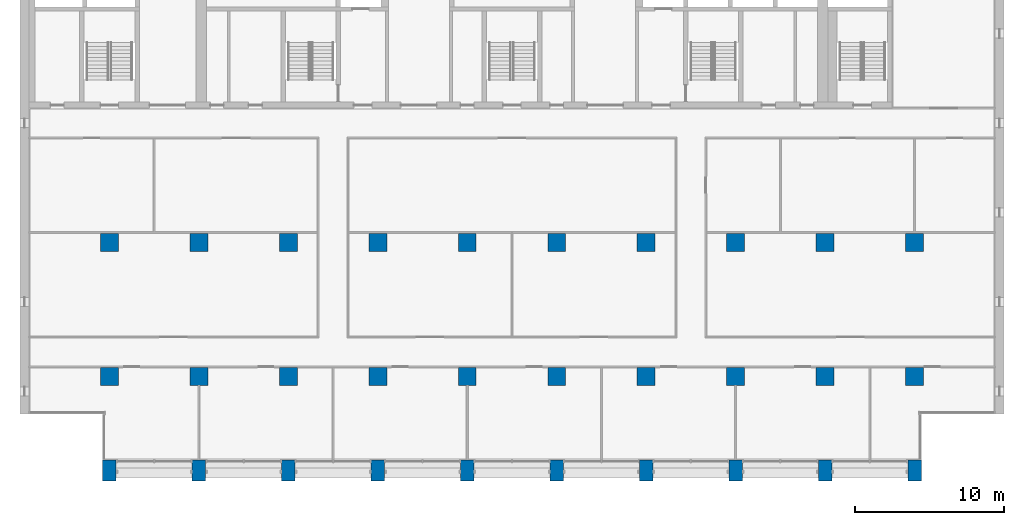
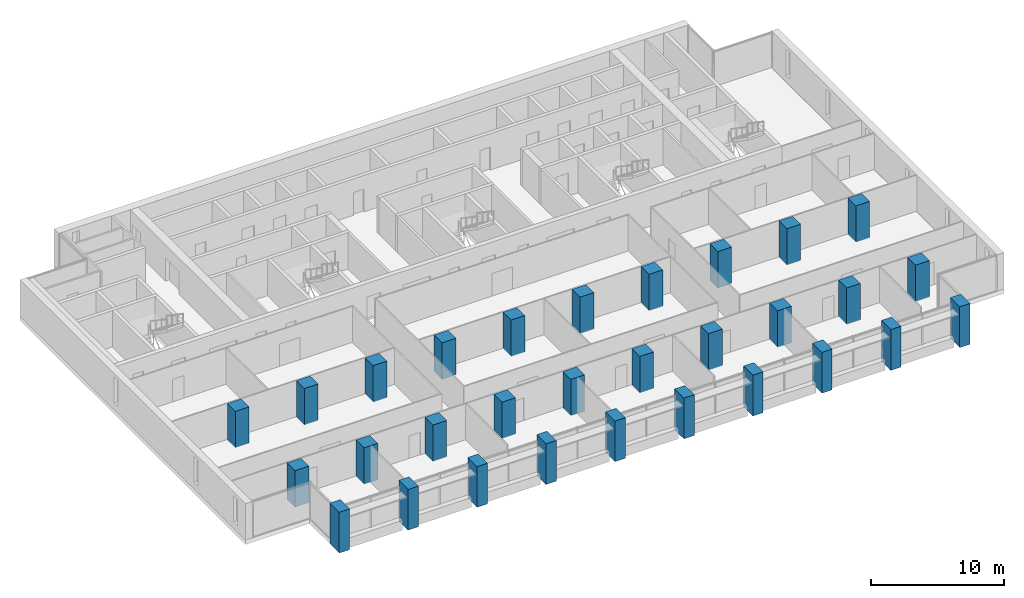
# One storey, part 1 of 17: 30 columns.
"""IFC4 building model written with IfcOpenShell, lengths in metres."""

from ifc_helpers import new_model, si_unit, direction, frame, origin, origin_2d, place, context, subcontext, project, spatial, rectangle, extrude, material, material_profile, profile_set, type_object, element, save


model = new_model("IFC4")

# Units and contexts
model_context = context("Model", 3, precision=1e-05, world=origin(), true_north=direction((0.0, 1.0)))
body_context = subcontext(model_context, "Body", "Model", "MODEL_VIEW")
ifc_project = project(units=[si_unit("LENGTHUNIT", "METRE"), si_unit("AREAUNIT", "SQUARE_METRE"), si_unit("VOLUMEUNIT", "CUBIC_METRE"), si_unit("PLANEANGLEUNIT", "RADIAN"), si_unit("MASSUNIT", "GRAM", prefix="KILO")], contexts=[model_context])

# Site, building, storey
site_placement = place(None, origin())
site = spatial("IfcSite", under=ifc_project, at=site_placement, CompositionType="ELEMENT")
building_placement = place(site_placement, origin())
building = spatial("IfcBuilding", under=site, at=building_placement, Name="Calvaro Tower", CompositionType="ELEMENT")
storey_placement = place(building_placement, frame((0.0, 0.0, 170.5)))
storey = spatial("IfcBuildingStorey", under=building, at=storey_placement, Name="L42", CompositionType="ELEMENT", Elevation=170.5)

# Columns
ifc_material_1 = material(Name="Concrete C50/60", Category="concrete")
ifc_material_profile_1 = material_profile(ifc_material_1, rectangle(XDim=1.199951171875, YDim=1.199951171875, at=origin_2d()), Name="RC 1200x1200")
ifc_profile_set_1 = profile_set([ifc_material_profile_1], Name="Concrete C50/60")
column_type_1 = type_object("IfcColumnType", Name="Column 1200x1200 C50/60", PredefinedType="COLUMN", material=ifc_profile_set_1)
for number, where, z_axis, x_axis, name in (
    (1, (12.0, 10.0, 0.0), (0.0, 0.0, 1.0), (1.0, 0.0, 0.0), "Column 3B"),
    (2, (12.0, 19.0, 0.0), (0.0, 0.0, 1.0), (1.0, 0.0, 0.0), "Column 3C"),
    (3, (18.0, 10.0, 0.0), (0.0, 0.0, 1.0), (1.0, 0.0, 0.0), "Column 4B"),
    (4, (18.0, 19.0, 0.0), (0.0, 0.0, 1.0), (1.0, 0.0, 0.0), "Column 4C"),
    (5, (24.0, 10.0, 0.0), (0.0, 0.0, 1.0), (1.0, 0.0, 0.0), "Column 5B"),
    (6, (24.0, 19.0, 0.0), (0.0, 0.0, 1.0), (1.0, 0.0, 0.0), "Column 5C"),
    (7, (30.0, 10.0, 0.0), (0.0, 0.0, 1.0), (1.0, 0.0, 0.0), "Column 6B"),
    (8, (30.0, 19.0, 0.0), (0.0, 0.0, 1.0), (1.0, 0.0, 0.0), "Column 6C"),
    (9, (36.0, 10.0, 0.0), (0.0, 0.0, 1.0), (1.0, 0.0, 0.0), "Column 7B"),
    (10, (36.0, 19.0, 0.0), (0.0, 0.0, 1.0), (1.0, 0.0, 0.0), "Column 7C"),
    (11, (42.0, 10.0, 0.0), (0.0, 0.0, 1.0), (1.0, 0.0, 0.0), "Column 8B"),
    (12, (42.0, 19.0, 0.0), (0.0, 0.0, 1.0), (1.0, 0.0, 0.0), "Column 8C"),
    (13, (48.0, 10.0, 0.0), (0.0, 0.0, 1.0), (1.0, 0.0, 0.0), "Column 9B"),
    (14, (48.0, 19.0, 0.0), (0.0, 0.0, 1.0), (1.0, 0.0, 0.0), "Column 9C"),
    (15, (54.0, 10.0, 0.0), (0.0, 0.0, 1.0), (1.0, 0.0, 0.0), "Column 10B"),
    (16, (54.0, 19.0, 0.0), (0.0, 0.0, 1.0), (1.0, 0.0, 0.0), "Column 10C"),
    (17, (60.0, 10.0, 0.0), (0.0, 0.0, 1.0), (1.0, 0.0, 0.0), "Column 11B"),
    (18, (60.0, 19.0, 0.0), (0.0, 0.0, 1.0), (1.0, 0.0, 0.0), "Column 11C"),
    (19, (66.0, 10.0, 0.0), (0.0, 0.0, 1.0), (1.0, 0.0, 0.0), "Column 12B"),
    (20, (66.0, 19.0, 0.0), (0.0, 0.0, 1.0), (1.0, 0.0, 0.0), "Column 12C"),
):
    element("IfcColumn", number, at=place(storey_placement, frame(where, z_axis=z_axis, x_axis=x_axis)), inside=storey, type_object=column_type_1, Name=name, PredefinedType="COLUMN", context=body_context, shape_type="SweptSolid", body=[
        extrude(rectangle(XDim=1.199951171875, YDim=1.199951171875, at=origin_2d()), origin(), (0.0, 0.0, 1.0), 3.35009765625),
    ])
ifc_material_2 = material(Name="Concrete C50/60", Category="concrete")
ifc_material_profile_2 = material_profile(ifc_material_2, rectangle(XDim=0.89990234375, YDim=1.39990234375, at=origin_2d()), Name="RC 900x1400")
ifc_profile_set_2 = profile_set([ifc_material_profile_2], Name="Concrete C50/60")
column_type_2 = type_object("IfcColumnType", Name="Pier 900x1400 C50/60", PredefinedType="COLUMN", material=ifc_profile_set_2)
for number, where, z_axis, x_axis, name in (
    (21, (12.0, 3.699951171875, -0.39990234375), (0.0, 0.0, 1.0), (1.0, 0.0, 0.0), "South pier 3"),
    (22, (18.0, 3.699951171875, -0.39990234375), (0.0, 0.0, 1.0), (1.0, 0.0, 0.0), "South pier 4"),
    (23, (24.0, 3.699951171875, -0.39990234375), (0.0, 0.0, 1.0), (1.0, 0.0, 0.0), "South pier 5"),
    (24, (30.0, 3.699951171875, -0.39990234375), (0.0, 0.0, 1.0), (1.0, 0.0, 0.0), "South pier 6"),
    (25, (36.0, 3.699951171875, -0.39990234375), (0.0, 0.0, 1.0), (1.0, 0.0, 0.0), "South pier 7"),
    (26, (42.0, 3.699951171875, -0.39990234375), (0.0, 0.0, 1.0), (1.0, 0.0, 0.0), "South pier 8"),
    (27, (48.0, 3.699951171875, -0.39990234375), (0.0, 0.0, 1.0), (1.0, 0.0, 0.0), "South pier 9"),
    (28, (54.0, 3.699951171875, -0.39990234375), (0.0, 0.0, 1.0), (1.0, 0.0, 0.0), "South pier 10"),
    (29, (60.0, 3.699951171875, -0.39990234375), (0.0, 0.0, 1.0), (1.0, 0.0, 0.0), "South pier 11"),
    (30, (66.0, 3.699951171875, -0.39990234375), (0.0, 0.0, 1.0), (1.0, 0.0, 0.0), "South pier 12"),
):
    element("IfcColumn", number, at=place(storey_placement, frame(where, z_axis=z_axis, x_axis=x_axis)), inside=storey, type_object=column_type_2, Name=name, PredefinedType="COLUMN", context=body_context, shape_type="SweptSolid", body=[
        extrude(rectangle(XDim=0.89990234375, YDim=1.39990234375, at=origin_2d()), origin(), (0.0, 0.0, 1.0), 3.75),
    ])

save(model, "model.ifc")
